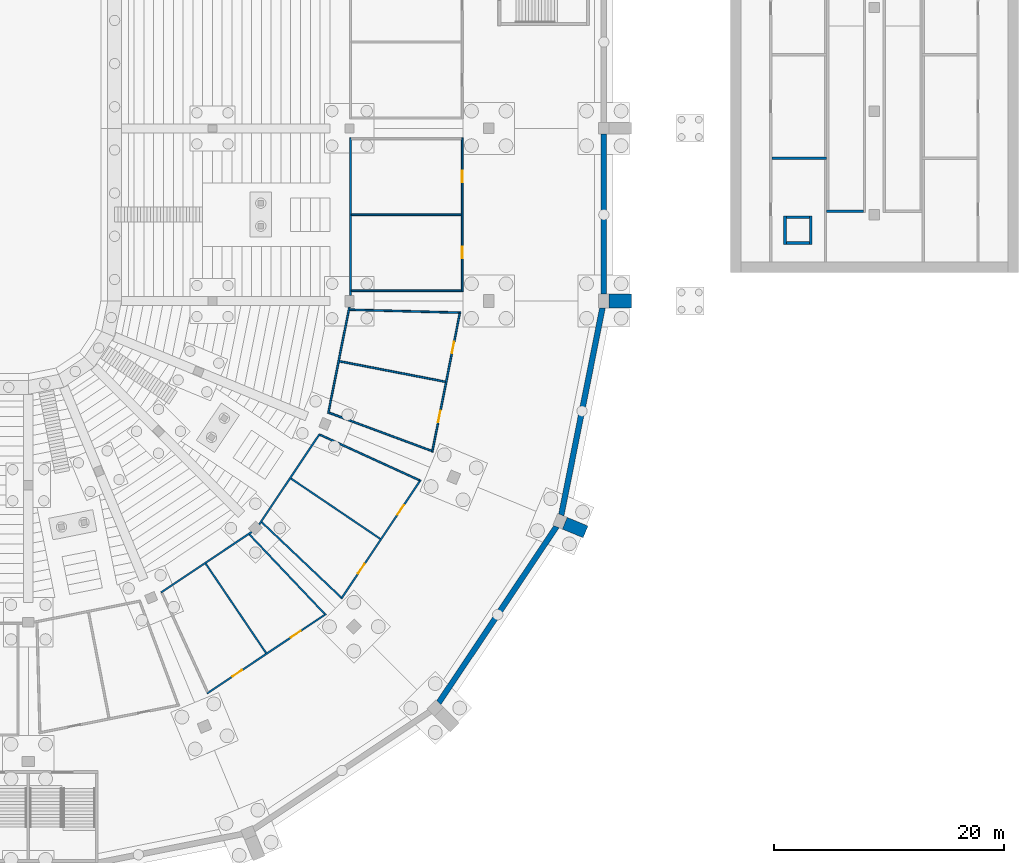
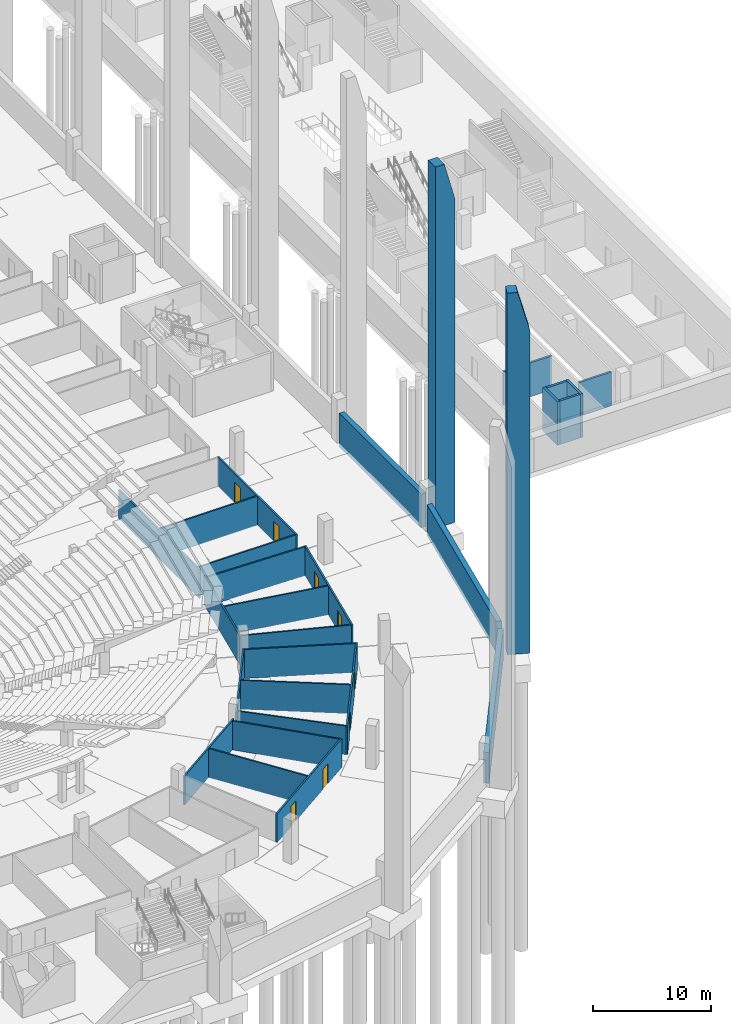
# One storey, part 27 of 115: 29 walls, 8 doors, 8 openings.
"""IFC4 building model written with IfcOpenShell, lengths in metres."""

from ifc_helpers import new_model, si_unit, direction, frame, frame_2d, origin, place, context, subcontext, project, spatial, polyline, rectangle, outline, extrude, material, layer, layer_set, type_object, element, fill, save


model = new_model("IFC4")

# Units and contexts
model_context = context("Model", 3, precision=1e-05, world=origin(), true_north=direction((0.0, 1.0)))
body_context = subcontext(model_context, "Body", "Model", "MODEL_VIEW")
ifc_project = project(units=[si_unit("LENGTHUNIT", "METRE"), si_unit("AREAUNIT", "SQUARE_METRE"), si_unit("VOLUMEUNIT", "CUBIC_METRE"), si_unit("PLANEANGLEUNIT", "RADIAN"), si_unit("MASSUNIT", "GRAM", prefix="KILO")], contexts=[model_context])

# Site, building, storey
site_placement = place(None, origin())
site = spatial("IfcSite", under=ifc_project, at=site_placement, CompositionType="ELEMENT")
building_placement = place(site_placement, origin())
building = spatial("IfcBuilding", under=site, at=building_placement, Name="Ogive Plaza Stadium", CompositionType="ELEMENT")
storey_placement = place(building_placement, frame((0.0, 0.0, -4.5)))
storey = spatial("IfcBuildingStorey", under=building, at=storey_placement, Name="B1", CompositionType="ELEMENT", Elevation=-4.5)

# Wall
ifc_material_1 = material(Name="Masonry blockwork", Category="masonry")
ifc_layer_1 = layer(ifc_material_1, 0.14990234375)
ifc_layer_set_1 = layer_set([ifc_layer_1], Name="Blockwork wall 150")
wall_type_1 = type_object("IfcWallType", Name="Blockwork wall 150", PredefinedType="SOLIDWALL", material=ifc_layer_set_1)
wall_1_placement = place(storey_placement, frame((62.0, -52.0, 0.0), z_axis=(0.0, 0.0, 1.0), x_axis=(0.0, 1.0, 0.0)))
element("IfcWall", 1, at=wall_1_placement, inside=storey, type_object=wall_type_1, Name="Wall B1 B07", PredefinedType="SOLIDWALL", context=body_context, shape_type="SweptSolid", body=[
    extrude(rectangle(XDim=13.675048828125, YDim=0.14990234375, at=frame_2d((6.83740234375, 0.0))), origin(), (0.0, 0.0, 1.0), 3.0),
])

# Wall, openings, doors
wall_2_placement = place(storey_placement, frame((71.699951171875, -51.675048828125, 0.0), z_axis=(0.0, 0.0, 1.0), x_axis=(0.0, 1.0, 0.0)))
wall_2 = element("IfcWall", 2, at=wall_2_placement, inside=storey, type_object=wall_type_1, Name="Wall B1 B07", PredefinedType="SOLIDWALL", context=body_context, shape_type="SweptSolid", body=[
    extrude(rectangle(XDim=13.35009765625, YDim=0.14990234375, at=frame_2d((6.675048828125, 0.0))), origin(), (0.0, 0.0, 1.0), 3.0),
])
opening_1_placement = place(wall_2_placement, frame((2.875, 0.0, 0.0)))
opening_1 = element("IfcOpeningElement", 3, at=opening_1_placement, cuts=wall_2, Name="Opening D0309", PredefinedType="OPENING", context=body_context, shape_type="SweptSolid", body=[
    extrude(rectangle(XDim=1.0, YDim=2.10009765625, at=frame_2d((0.5, 1.050048828125))), frame((0.0, 0.074951171875, 0.0), z_axis=(0.0, -1.0, 0.0), x_axis=(1.0, 0.0, 0.0)), (0.0, 0.0, 1.0), 0.14990234375),
])
opening_2_placement = place(wall_2_placement, frame((9.47509765625, 0.0, 0.0)))
opening_2 = element("IfcOpeningElement", 4, at=opening_2_placement, cuts=wall_2, Name="Opening D0310", PredefinedType="OPENING", context=body_context, shape_type="SweptSolid", body=[
    extrude(rectangle(XDim=1.0, YDim=2.10009765625, at=frame_2d((0.5, 1.050048828125))), frame((0.0, 0.074951171875, 0.0), z_axis=(0.0, -1.0, 0.0), x_axis=(1.0, 0.0, 0.0)), (0.0, 0.0, 1.0), 0.14990234375),
])
ifc_material_2 = material(Name="Steel ASTM A572 Grade 50", Category="steel")
door_type_1 = type_object("IfcDoorType", Name="Fire door FD60 1000 x 2100", OperationType="SINGLE_SWING_LEFT", PredefinedType="DOOR", material=ifc_material_2)
door_1_placement = place(opening_1_placement, origin())
door_1 = element("IfcDoor", 5, at=door_1_placement, inside=storey, type_object=door_type_1, Name="Doping Control Room B07 door", OperationType="SINGLE_SWING_LEFT", OverallHeight=2.10009765625, OverallWidth=1.0, PredefinedType="DOOR", context=body_context, shape_type="SweptSolid", body=[
    extrude(rectangle(XDim=1.0, YDim=2.10009765625, at=frame_2d((0.5, 1.050048828125))), frame((0.0, 0.02490234375, 0.0), z_axis=(0.0, -1.0, 0.0), x_axis=(1.0, 0.0, 0.0)), (0.0, 0.0, 1.0), 0.050048828125),
])
fill(opening_1, door_1)
door_2_placement = place(opening_2_placement, origin())
door_2 = element("IfcDoor", 6, at=door_2_placement, inside=storey, type_object=door_type_1, Name="Equipment Store B07 door", OperationType="SINGLE_SWING_RIGHT", OverallHeight=2.10009765625, OverallWidth=1.0, PredefinedType="DOOR", context=body_context, shape_type="SweptSolid", body=[
    extrude(rectangle(XDim=1.0, YDim=2.10009765625, at=frame_2d((0.5, 1.050048828125))), frame((0.0, 0.02490234375, 0.0), z_axis=(0.0, -1.0, 0.0), x_axis=(1.0, 0.0, 0.0)), (0.0, 0.0, 1.0), 0.050048828125),
])
fill(opening_2, door_2)

# Walls
for number, where, z_axis, x_axis, name in (
    (7, (62.074951171875, -51.60009765625, 0.0), (0.0, 0.0, 1.0), (1.0, 0.0, 0.0), "Wall B1 B07"),
    (8, (62.074951171875, -45.0, 0.0), (0.0, 0.0, 1.0), (1.0, 0.0, 0.0), "Wall B1 B07"),
):
    element("IfcWall", number, at=place(storey_placement, frame(where, z_axis=z_axis, x_axis=x_axis)), inside=storey, type_object=wall_type_1, Name=name, PredefinedType="SOLIDWALL", context=body_context, shape_type="SweptSolid", body=[
        extrude(rectangle(XDim=9.550048828125, YDim=0.14990234375, at=frame_2d((4.77490234375, 0.0))), origin(), (0.0, 0.0, 1.0), 3.0),
    ])
wall_3_placement = place(storey_placement, frame((61.900634765625, -53.0, 0.0), z_axis=(0.0, 0.0, 1.0), x_axis=(-0.195090337241, -0.980785277375, 0.0)))
element("IfcWall", 9, at=wall_3_placement, inside=storey, type_object=wall_type_1, Name="Wall B1 B08", PredefinedType="SOLIDWALL", context=body_context, shape_type="SweptSolid", body=[
    extrude(rectangle(XDim=9.429443359375, YDim=0.14990234375, at=frame_2d((4.71484375, 0.0))), origin(), (0.0, 0.0, 1.0), 3.0),
])

# Wall, openings, doors
wall_4_placement = place(storey_placement, frame((71.515380859375, -53.4287109375, 0.0), z_axis=(0.0, 0.0, 1.0), x_axis=(-0.19510797715, -0.980781768414, 0.0)))
wall_4 = element("IfcWall", 10, at=wall_4_placement, inside=storey, type_object=wall_type_1, Name="Wall B1 B08", PredefinedType="SOLIDWALL", context=body_context, shape_type="SweptSolid", body=[
    extrude(rectangle(XDim=12.435546875, YDim=0.14990234375, at=frame_2d((6.2177734375, 0.0))), origin(), (0.0, 0.0, 1.0), 3.0),
])
opening_3_placement = place(wall_4_placement, frame((2.65185546875, 0.0, 0.0)))
opening_3 = element("IfcOpeningElement", 11, at=opening_3_placement, cuts=wall_4, Name="Opening D0311", PredefinedType="OPENING", context=body_context, shape_type="SweptSolid", body=[
    extrude(rectangle(XDim=1.0, YDim=2.10009765625, at=frame_2d((0.5, 1.050048828125))), frame((0.0, 0.074951171875, 0.0), z_axis=(0.0, -1.0, 0.0), x_axis=(1.0, 0.0, 0.0)), (0.0, 0.0, 1.0), 0.14990234375),
])
opening_4_placement = place(wall_4_placement, frame((8.78369140625, 0.0, 0.0)))
opening_4 = element("IfcOpeningElement", 12, at=opening_4_placement, cuts=wall_4, Name="Opening D0312", PredefinedType="OPENING", context=body_context, shape_type="SweptSolid", body=[
    extrude(rectangle(XDim=1.0, YDim=2.10009765625, at=frame_2d((0.5, 1.050048828125))), frame((0.0, 0.074951171875, 0.0), z_axis=(0.0, -1.0, 0.0), x_axis=(1.0, 0.0, 0.0)), (0.0, 0.0, 1.0), 0.14990234375),
])
door_3_placement = place(opening_3_placement, origin())
door_3 = element("IfcDoor", 13, at=door_3_placement, inside=storey, type_object=door_type_1, Name="Equipment Store B08 door", OperationType="SINGLE_SWING_LEFT", OverallHeight=2.10009765625, OverallWidth=1.0, PredefinedType="DOOR", context=body_context, shape_type="SweptSolid", body=[
    extrude(rectangle(XDim=1.0, YDim=2.10009765625, at=frame_2d((0.5, 1.050048828125))), frame((0.0, 0.02490234375, 0.0), z_axis=(0.0, -1.0, 0.0), x_axis=(1.0, 0.0, 0.0)), (0.0, 0.0, 1.0), 0.050048828125),
])
fill(opening_3, door_3)
door_4_placement = place(opening_4_placement, origin())
door_4 = element("IfcDoor", 14, at=door_4_placement, inside=storey, type_object=door_type_1, Name="Kit Store B08 door", OperationType="SINGLE_SWING_RIGHT", OverallHeight=2.10009765625, OverallWidth=1.0, PredefinedType="DOOR", context=body_context, shape_type="SweptSolid", body=[
    extrude(rectangle(XDim=1.0, YDim=2.10009765625, at=frame_2d((0.5, 1.050048828125))), frame((0.0, 0.02490234375, 0.0), z_axis=(0.0, -1.0, 0.0), x_axis=(1.0, 0.0, 0.0)), (0.0, 0.0, 1.0), 0.050048828125),
])
fill(opening_4, door_4)

# Walls
wall_5_placement = place(storey_placement, frame((61.925048828125, -53.25439453125, 0.0), z_axis=(0.0, 0.0, 1.0), x_axis=(0.999635344856, -0.027003283405, 0.0)))
element("IfcWall", 15, at=wall_5_placement, inside=storey, type_object=wall_type_1, Name="Wall B1 B08", PredefinedType="SOLIDWALL", context=body_context, shape_type="SweptSolid", body=[
    extrude(rectangle(XDim=9.502197265625, YDim=0.14990234375, at=frame_2d((4.7509765625, 0.0))), origin(), (0.0, 0.0, 1.0), 3.0),
])
wall_6_placement = place(storey_placement, frame((61.0341796875, -57.73291015625, 0.0), z_axis=(0.0, 0.0, 1.0), x_axis=(0.98177592882, -0.190042167924, 0.0)))
element("IfcWall", 16, at=wall_6_placement, inside=storey, type_object=wall_type_1, Name="Wall B1 B08", PredefinedType="SOLIDWALL", context=body_context, shape_type="SweptSolid", body=[
    extrude(rectangle(XDim=9.366455078125, YDim=0.14990234375, at=frame_2d((4.68310546875, 0.0))), origin(), (0.0, 0.0, 1.0), 3.0),
])
wall_7_placement = place(storey_placement, frame((60.143310546875, -62.21142578125, 0.0), z_axis=(0.0, 0.0, 1.0), x_axis=(0.937410871216, -0.348225298515, 0.0)))
element("IfcWall", 17, at=wall_7_placement, inside=storey, type_object=wall_type_1, Name="Wall B1 B08", PredefinedType="SOLIDWALL", context=body_context, shape_type="SweptSolid", body=[
    extrude(rectangle(XDim=9.486572265625, YDim=0.14990234375, at=frame_2d((4.7431640625, 0.0))), origin(), (0.0, 0.0, 1.0), 3.0),
])
wall_8_placement = place(storey_placement, frame((54.053955078125, -71.91748046875, 0.0), z_axis=(0.0, 0.0, 1.0), x_axis=(0.555561621569, 0.831475366226, 0.0)))
element("IfcWall", 18, at=wall_8_placement, inside=storey, type_object=wall_type_1, Name="Wall B1 B09", PredefinedType="SOLIDWALL", context=body_context, shape_type="SweptSolid", body=[
    extrude(rectangle(XDim=9.480224609375, YDim=0.14990234375, at=frame_2d((4.740234375, 0.0))), origin(), (0.0, 0.0, 1.0), 3.0),
])

# Wall, openings, doors
wall_9_placement = place(storey_placement, frame((61.183837890625, -78.37060546875, 0.0), z_axis=(0.0, 0.0, 1.0), x_axis=(0.555574282091, 0.831466906785, 0.0)))
wall_9 = element("IfcWall", 19, at=wall_9_placement, inside=storey, type_object=wall_type_1, Name="Wall B1 B09", PredefinedType="SOLIDWALL", context=body_context, shape_type="SweptSolid", body=[
    extrude(rectangle(XDim=12.435546875, YDim=0.14990234375, at=frame_2d((6.2177734375, 0.0))), origin(), (0.0, 0.0, 1.0), 3.0),
])
opening_5_placement = place(wall_9_placement, frame((2.65185546875, 0.0, 0.0)))
opening_5 = element("IfcOpeningElement", 20, at=opening_5_placement, cuts=wall_9, Name="Opening D0313", PredefinedType="OPENING", context=body_context, shape_type="SweptSolid", body=[
    extrude(rectangle(XDim=1.0, YDim=2.10009765625, at=frame_2d((0.5, 1.050048828125))), frame((0.0, 0.074951171875, 0.0), z_axis=(0.0, -1.0, 0.0), x_axis=(1.0, 0.0, 0.0)), (0.0, 0.0, 1.0), 0.14990234375),
])
opening_6_placement = place(wall_9_placement, frame((8.78369140625, 0.0, 0.0)))
opening_6 = element("IfcOpeningElement", 21, at=opening_6_placement, cuts=wall_9, Name="Opening D0314", PredefinedType="OPENING", context=body_context, shape_type="SweptSolid", body=[
    extrude(rectangle(XDim=1.0, YDim=2.10009765625, at=frame_2d((0.5, 1.050048828125))), frame((0.0, 0.074951171875, 0.0), z_axis=(0.0, -1.0, 0.0), x_axis=(1.0, 0.0, 0.0)), (0.0, 0.0, 1.0), 0.14990234375),
])
ifc_material_3 = material(Name="Steel ASTM A572 Grade 50", Category="steel")
door_type_2 = type_object("IfcDoorType", Name="Door 1000 x 2100", OperationType="SINGLE_SWING_LEFT", PredefinedType="DOOR", material=ifc_material_3)
door_5_placement = place(opening_6_placement, origin())
door_5 = element("IfcDoor", 22, at=door_5_placement, inside=storey, type_object=door_type_2, Name="Press Mixed Zone B09 door", OperationType="SINGLE_SWING_LEFT", OverallHeight=2.10009765625, OverallWidth=1.0, PredefinedType="DOOR", context=body_context, shape_type="SweptSolid", body=[
    extrude(rectangle(XDim=1.0, YDim=2.10009765625, at=frame_2d((0.5, 1.050048828125))), frame((0.0, 0.02490234375, 0.0), z_axis=(0.0, -1.0, 0.0), x_axis=(1.0, 0.0, 0.0)), (0.0, 0.0, 1.0), 0.050048828125),
])
fill(opening_6, door_5)
door_6_placement = place(opening_5_placement, origin())
door_6 = element("IfcDoor", 23, at=door_6_placement, inside=storey, type_object=door_type_1, Name="Kit Store B09 door", OperationType="SINGLE_SWING_RIGHT", OverallHeight=2.10009765625, OverallWidth=1.0, PredefinedType="DOOR", context=body_context, shape_type="SweptSolid", body=[
    extrude(rectangle(XDim=1.0, YDim=2.10009765625, at=frame_2d((0.5, 1.050048828125))), frame((0.0, 0.02490234375, 0.0), z_axis=(0.0, -1.0, 0.0), x_axis=(1.0, 0.0, 0.0)), (0.0, 0.0, 1.0), 0.050048828125),
])
fill(opening_5, door_6)

# Walls
wall_10_placement = place(storey_placement, frame((54.279296875, -71.71240234375, 0.0), z_axis=(0.0, 0.0, 1.0), x_axis=(0.725938506053, -0.687759613114, 0.0)))
element("IfcWall", 24, at=wall_10_placement, inside=storey, type_object=wall_type_1, Name="Wall B1 B09", PredefinedType="SOLIDWALL", context=body_context, shape_type="SweptSolid", body=[
    extrude(rectangle(XDim=9.50244140625, YDim=0.14990234375, at=frame_2d((4.751220703125, 0.0))), origin(), (0.0, 0.0, 1.0), 3.0),
])
wall_11_placement = place(storey_placement, frame((56.816162109375, -67.915771484375, 0.0), z_axis=(0.0, 0.0, 1.0), x_axis=(0.828597791905, -0.5598443527, 0.0)))
element("IfcWall", 25, at=wall_11_placement, inside=storey, type_object=wall_type_1, Name="Wall B1 B09", PredefinedType="SOLIDWALL", context=body_context, shape_type="SweptSolid", body=[
    extrude(rectangle(XDim=9.36669921875, YDim=0.14990234375, at=frame_2d((4.683349609375, 0.0))), origin(), (0.0, 0.0, 1.0), 3.0),
])
wall_12_placement = place(storey_placement, frame((59.35302734375, -64.119140625, 0.0), z_axis=(0.0, 0.0, 1.0), x_axis=(0.909090408533, -0.416598882755, 0.0)))
element("IfcWall", 26, at=wall_12_placement, inside=storey, type_object=wall_type_1, Name="Wall B1 B09", PredefinedType="SOLIDWALL", context=body_context, shape_type="SweptSolid", body=[
    extrude(rectangle(XDim=9.48681640625, YDim=0.14990234375, at=frame_2d((4.743408203125, 0.0))), origin(), (0.0, 0.0, 1.0), 3.0),
])
ifc_material_4 = material(Name="Concrete C45/55 precast", Category="concrete")
ifc_layer_2 = layer(ifc_material_4, 1.050048828125)
ifc_material_5 = material(Name="Cast stone (reconstituted limestone)", Category="masonry")
ifc_layer_3 = layer(ifc_material_5, 0.050048828125)
ifc_layer_set_2 = layer_set([ifc_layer_2, ifc_layer_3], Name="Concrete C45/55 precast, cast stone facing")
wall_type_2 = type_object("IfcWallType", Name="Buttress pier 1100", PredefinedType="SOLIDWALL", material=ifc_layer_set_2)
wall_13_placement = place(storey_placement, frame((80.609619140625, -71.806396484375, 0.0), z_axis=(0.0, 0.0, 1.0), x_axis=(0.923919190445, -0.38258767561, 0.0)))
element("IfcWall", 27, at=wall_13_placement, inside=storey, type_object=wall_type_2, Name="BUTTRESS PIER R09", PredefinedType="SOLIDWALL", context=body_context, shape_type="SweptSolid", body=[
    extrude(outline(polyline([(0.0, 0.0), (1.9501953125, 0.0), (1.949951171875, 33.5), (0.89990234375, 37.5), (0.0, 37.5), (0.0, 0.0)])), frame((0.0, 0.550048828125, 0.0), z_axis=(0.0, -1.0, 0.0), x_axis=(1.0, 0.0, 0.0)), (0.0, 0.0, 1.0), 1.10009765625),
])
ifc_material_6 = material(Name="Concrete C45/55 precast", Category="concrete")
ifc_layer_4 = layer(ifc_material_6, 1.14990234375)
ifc_material_7 = material(Name="Cast stone (reconstituted limestone)", Category="masonry")
ifc_layer_5 = layer(ifc_material_7, 0.050048828125)
ifc_layer_set_3 = layer_set([ifc_layer_4, ifc_layer_5], Name="Concrete C45/55 precast, cast stone facing")
wall_type_3 = type_object("IfcWallType", Name="Buttress pier 1200", PredefinedType="SOLIDWALL", material=ifc_layer_set_3)
wall_14_placement = place(storey_placement, frame((84.449951171875, -52.5, 0.0), z_axis=(0.0, 0.0, 1.0), x_axis=(1.0, 0.0, 0.0)))
element("IfcWall", 28, at=wall_14_placement, inside=storey, type_object=wall_type_3, Name="BUTTRESS PIER R08", PredefinedType="SOLIDWALL", context=body_context, shape_type="SweptSolid", body=[
    extrude(outline(polyline([(0.0, 0.0), (1.949951171875, 0.0), (1.949951171875, 33.5), (0.89990234375, 37.5), (0.0, 37.5), (0.0, 0.0)])), frame((0.0, 0.60009765625, 0.0), z_axis=(0.0, -1.0, 0.0), x_axis=(1.0, 0.0, 0.0)), (0.0, 0.0, 1.0), 1.199951171875),
])
ifc_material_8 = material(Name="Gypsum board partition", Category="gypsum")
ifc_layer_6 = layer(ifc_material_8, 0.14990234375)
ifc_layer_set_4 = layer_set([ifc_layer_6], Name="Partition 150")
wall_type_4 = type_object("IfcWallType", Name="Partition 150", PredefinedType="PARTITIONING", material=ifc_layer_set_4)
wall_15_placement = place(storey_placement, frame((53.41748046875, -72.553955078125, 0.0), z_axis=(0.0, 0.0, 1.0), x_axis=(-0.831475366226, -0.555561621569, 0.0)))
element("IfcWall", 29, at=wall_15_placement, inside=storey, type_object=wall_type_4, Name="Wall B1 B10", PredefinedType="PARTITIONING", context=body_context, shape_type="SweptSolid", body=[
    extrude(rectangle(XDim=9.480224609375, YDim=0.14990234375, at=frame_2d((4.740234375, 0.0))), origin(), (0.0, 0.0, 1.0), 3.0),
])

# Wall, openings, doors
wall_16_placement = place(storey_placement, frame((59.87060546875, -79.683837890625, 0.0), z_axis=(0.0, 0.0, 1.0), x_axis=(-0.831466906785, -0.555574282091, 0.0)))
wall_16 = element("IfcWall", 30, at=wall_16_placement, inside=storey, type_object=wall_type_4, Name="Wall B1 B10", PredefinedType="PARTITIONING", context=body_context, shape_type="SweptSolid", body=[
    extrude(rectangle(XDim=12.435546875, YDim=0.14990234375, at=frame_2d((6.2177734375, 0.0))), origin(), (0.0, 0.0, 1.0), 3.0),
])
opening_7_placement = place(wall_16_placement, frame((2.65185546875, 0.0, 0.0)))
opening_7 = element("IfcOpeningElement", 31, at=opening_7_placement, cuts=wall_16, Name="Opening D0315", PredefinedType="OPENING", context=body_context, shape_type="SweptSolid", body=[
    extrude(rectangle(XDim=1.0, YDim=2.10009765625, at=frame_2d((0.5, 1.050048828125))), frame((0.0, 0.074951171875, 0.0), z_axis=(0.0, -1.0, 0.0), x_axis=(1.0, 0.0, 0.0)), (0.0, 0.0, 1.0), 0.14990234375),
])
opening_8_placement = place(wall_16_placement, frame((8.78369140625, 0.0, 0.0)))
opening_8 = element("IfcOpeningElement", 32, at=opening_8_placement, cuts=wall_16, Name="Opening D0316", PredefinedType="OPENING", context=body_context, shape_type="SweptSolid", body=[
    extrude(rectangle(XDim=1.0, YDim=2.10009765625, at=frame_2d((0.5, 1.050048828125))), frame((0.0, 0.074951171875, 0.0), z_axis=(0.0, -1.0, 0.0), x_axis=(1.0, 0.0, 0.0)), (0.0, 0.0, 1.0), 0.14990234375),
])
door_7_placement = place(opening_7_placement, origin())
door_7 = element("IfcDoor", 33, at=door_7_placement, inside=storey, type_object=door_type_2, Name="Press Mixed Zone B10 door", OperationType="SINGLE_SWING_LEFT", OverallHeight=2.10009765625, OverallWidth=1.0, PredefinedType="DOOR", context=body_context, shape_type="SweptSolid", body=[
    extrude(rectangle(XDim=1.0, YDim=2.10009765625, at=frame_2d((0.5, 1.050048828125))), frame((0.0, 0.02490234375, 0.0), z_axis=(0.0, -1.0, 0.0), x_axis=(1.0, 0.0, 0.0)), (0.0, 0.0, 1.0), 0.050048828125),
])
fill(opening_7, door_7)
door_8_placement = place(opening_8_placement, origin())
door_8 = element("IfcDoor", 34, at=door_8_placement, inside=storey, type_object=door_type_2, Name="Broadcast Compound Room B10 door", OperationType="SINGLE_SWING_RIGHT", OverallHeight=2.10009765625, OverallWidth=1.0, PredefinedType="DOOR", context=body_context, shape_type="SweptSolid", body=[
    extrude(rectangle(XDim=1.0, YDim=2.10009765625, at=frame_2d((0.5, 1.050048828125))), frame((0.0, 0.02490234375, 0.0), z_axis=(0.0, -1.0, 0.0), x_axis=(1.0, 0.0, 0.0)), (0.0, 0.0, 1.0), 0.050048828125),
])
fill(opening_8, door_8)

# Walls
wall_17_placement = place(storey_placement, frame((53.21240234375, -72.779296875, 0.0), z_axis=(0.0, 0.0, 1.0), x_axis=(0.687759613114, -0.725938506053, 0.0)))
element("IfcWall", 35, at=wall_17_placement, inside=storey, type_object=wall_type_4, Name="Wall B1 B10", PredefinedType="PARTITIONING", context=body_context, shape_type="SweptSolid", body=[
    extrude(rectangle(XDim=9.50244140625, YDim=0.14990234375, at=frame_2d((4.751220703125, 0.0))), origin(), (0.0, 0.0, 1.0), 3.0),
])
wall_18_placement = place(storey_placement, frame((49.415771484375, -75.316162109375, 0.0), z_axis=(0.0, 0.0, 1.0), x_axis=(0.5598443527, -0.828597791905, 0.0)))
element("IfcWall", 36, at=wall_18_placement, inside=storey, type_object=wall_type_4, Name="Wall B1 B10", PredefinedType="PARTITIONING", context=body_context, shape_type="SweptSolid", body=[
    extrude(rectangle(XDim=9.36669921875, YDim=0.14990234375, at=frame_2d((4.683349609375, 0.0))), origin(), (0.0, 0.0, 1.0), 3.0),
])
ifc_material_9 = material(Name="Concrete C40/50", Category="concrete")
ifc_layer_7 = layer(ifc_material_9, 0.5)
ifc_layer_set_5 = layer_set([ifc_layer_7], Name="Concrete C40/50")
wall_type_5 = type_object("IfcWallType", Name="RC retaining wall 500", PredefinedType="SOLIDWALL", material=ifc_layer_set_5)
wall_19_placement = place(storey_placement, frame((84.0, -38.0, -0.39990234375), z_axis=(0.0, 0.0, 1.0), x_axis=(0.0, -1.0, 0.0)))
element("IfcWall", 37, at=wall_19_placement, inside=storey, type_object=wall_type_5, Name="Retaining wall B07", PredefinedType="SOLIDWALL", context=body_context, shape_type="SweptSolid", body=[
    extrude(rectangle(XDim=13.89990234375, YDim=0.5, at=frame_2d((6.949951171875, 0.0))), origin(), (0.0, 0.0, 1.0), 3.489990234375),
])
ifc_material_10 = material(Name="Concrete C40/50", Category="concrete")
ifc_layer_8 = layer(ifc_material_10, 0.5)
ifc_layer_set_6 = layer_set([ifc_layer_8], Name="Concrete C40/50")
wall_type_6 = type_object("IfcWallType", Name="RC retaining wall 500 A", PredefinedType="SOLIDWALL", material=ifc_layer_set_6)
wall_20_placement = place(storey_placement, frame((0.0, 0.0, -0.39990234375)))
element("IfcWall", 38, at=wall_20_placement, inside=storey, type_object=wall_type_6, Name="Retaining wall B08", PredefinedType="SOLIDWALL", context=body_context, shape_type="SweptSolid", body=[
    extrude(outline(polyline([(80.072509765625, -70.988525390625), (80.534423828125, -71.179931640625), (84.130615234375, -53.10009765625), (83.630615234375, -53.10009765625), (80.072509765625, -70.988525390625)])), origin(), (0.0, 0.0, 1.0), 3.18994140625),
])
wall_21_placement = place(storey_placement, frame((0.0, 0.0, -0.39990234375)))
element("IfcWall", 39, at=wall_21_placement, inside=storey, type_object=wall_type_6, Name="Retaining wall B09", PredefinedType="SOLIDWALL", context=body_context, shape_type="SweptSolid", body=[
    extrude(outline(polyline([(69.489990234375, -87.21240234375), (69.84375, -87.56591796875), (80.11328125, -72.196044921875), (79.6513671875, -72.0048828125), (69.489990234375, -87.21240234375)])), origin(), (0.0, 0.0, 1.0), 3.18994140625),
])
ifc_material_11 = material(Name="Concrete C40/50", Category="concrete")
ifc_layer_9 = layer(ifc_material_11, 0.25)
ifc_layer_set_7 = layer_set([ifc_layer_9], Name="Concrete C40/50")
wall_type_7 = type_object("IfcWallType", Name="Riser shaft wall 250", PredefinedType="SHEAR", material=ifc_layer_set_7)
for number, where, z_axis, x_axis, name in (
    (40, (99.72509765625, -47.60009765625, 0.0), (0.0, 0.0, 1.0), (0.0, 1.0, 0.0), "Riser shaft wall 250 B1 west"),
    (41, (101.97509765625, -47.60009765625, 0.0), (0.0, 0.0, 1.0), (0.0, 1.0, 0.0), "Riser shaft wall 250 B1 east"),
):
    element("IfcWall", number, at=place(storey_placement, frame(where, z_axis=z_axis, x_axis=x_axis)), inside=storey, type_object=wall_type_7, Name=name, PredefinedType="SHEAR", context=body_context, shape_type="SweptSolid", body=[
        extrude(rectangle(XDim=2.5, YDim=0.25, at=frame_2d((1.25, 0.0))), origin(), (0.0, 0.0, 1.0), 4.5),
    ])
for number, where, z_axis, x_axis, name in (
    (42, (99.85009765625, -47.47509765625, 0.0), (0.0, 0.0, 1.0), (1.0, 0.0, 0.0), "Riser shaft wall 250 B1 south"),
    (43, (99.85009765625, -45.22509765625, 0.0), (0.0, 0.0, 1.0), (1.0, 0.0, 0.0), "Riser shaft wall 250 B1 north"),
):
    element("IfcWall", number, at=place(storey_placement, frame(where, z_axis=z_axis, x_axis=x_axis)), inside=storey, type_object=wall_type_7, Name=name, PredefinedType="SHEAR", context=body_context, shape_type="SweptSolid", body=[
        extrude(rectangle(XDim=2.0, YDim=0.25, at=frame_2d((1.0, 0.0))), origin(), (0.0, 0.0, 1.0), 4.5),
    ])
ifc_material_12 = material(Name="Masonry blockwork", Category="masonry")
ifc_layer_10 = layer(ifc_material_12, 0.199951171875)
ifc_layer_set_8 = layer_set([ifc_layer_10], Name="Room partition 200")
wall_type_8 = type_object("IfcWallType", Name="Room partition 200", PredefinedType="PARTITIONING", material=ifc_layer_set_8)
wall_22_placement = place(storey_placement, frame((98.60009765625, -40.10009765625, 0.0), z_axis=(0.0, 0.0, 1.0), x_axis=(1.0, 0.0, 0.0)))
element("IfcWall", 44, at=wall_22_placement, inside=storey, type_object=wall_type_8, Name="Room partition 200 B1", PredefinedType="PARTITIONING", context=body_context, shape_type="SweptSolid", body=[
    extrude(rectangle(XDim=4.75, YDim=0.199951171875, at=frame_2d((2.375, 0.0))), origin(), (0.0, 0.0, 1.0), 3.5),
])
ifc_material_13 = material(Name="Concrete C40/50", Category="concrete")
ifc_layer_11 = layer(ifc_material_13, 0.199951171875)
ifc_layer_set_9 = layer_set([ifc_layer_11], Name="Concrete C40/50")
wall_type_9 = type_object("IfcWallType", Name="Stair enclosure wall 200", PredefinedType="SHEAR", material=ifc_layer_set_9)
wall_23_placement = place(storey_placement, frame((103.35009765625, -44.699951171875, 0.0), z_axis=(0.0, 0.0, 1.0), x_axis=(1.0, 0.0, 0.0)))
element("IfcWall", 45, at=wall_23_placement, inside=storey, type_object=wall_type_9, Name="Stair enclosure wall 200 B1 south", PredefinedType="SHEAR", context=body_context, shape_type="SweptSolid", body=[
    extrude(rectangle(XDim=3.199951171875, YDim=0.199951171875, at=frame_2d((1.60009765625, 0.0))), origin(), (0.0, 0.0, 1.0), 3.5),
])

save(model, "model.ifc")
